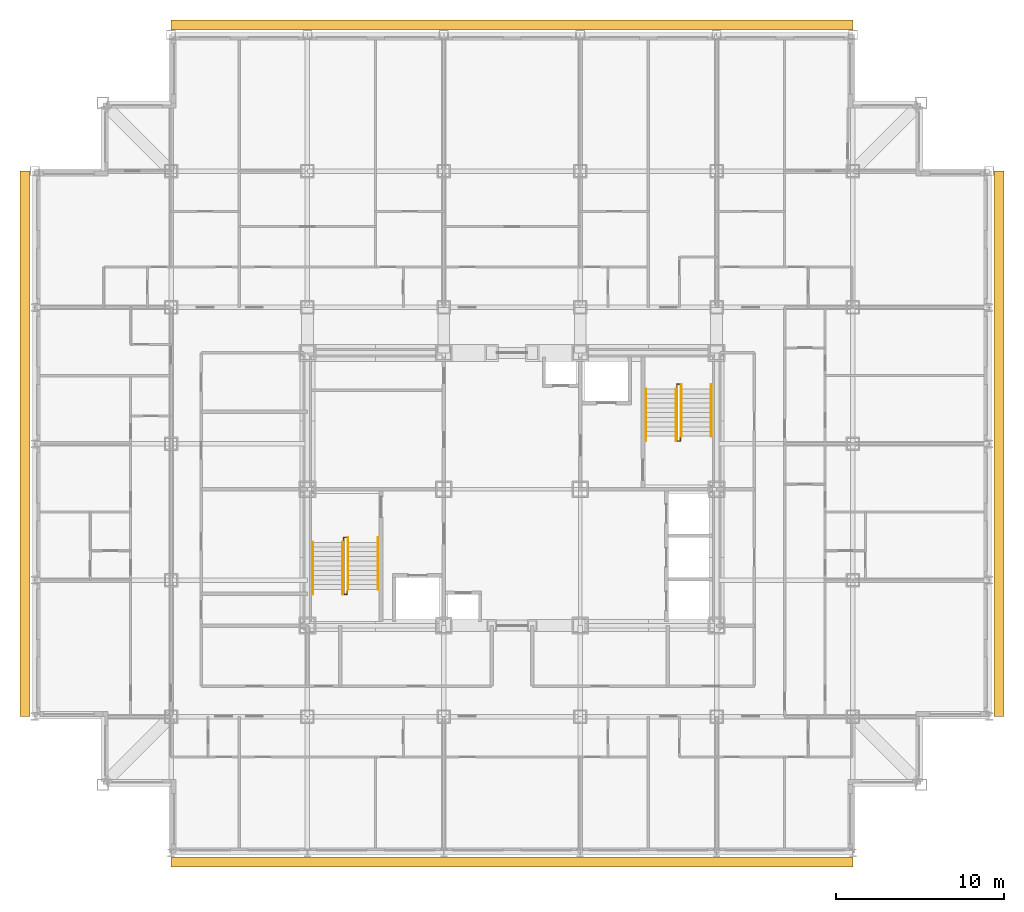
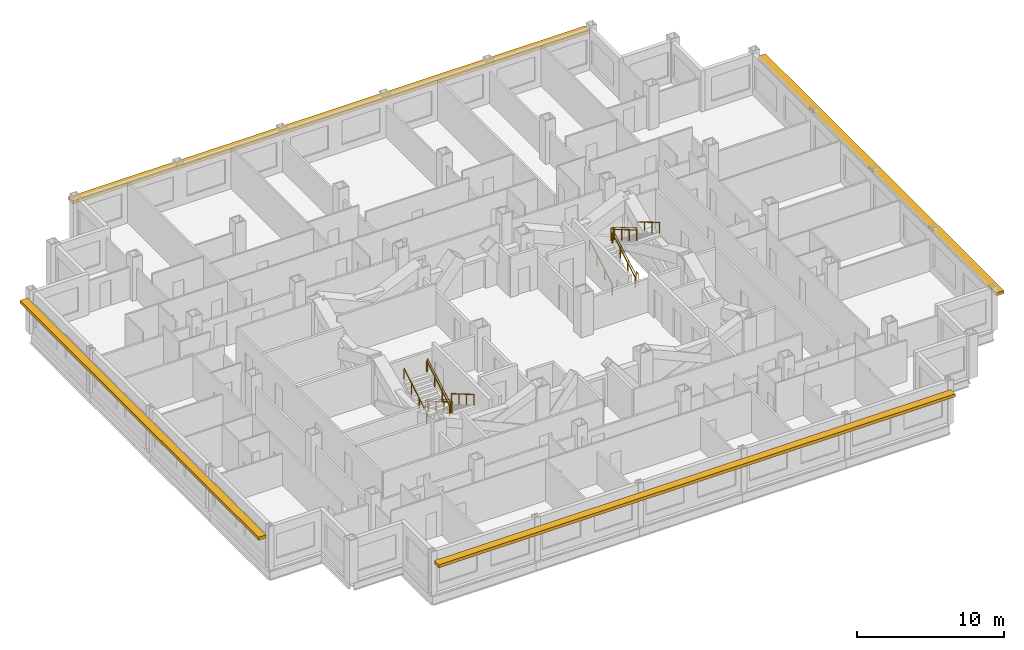
# One storey, part 12 of 12: 10 railings, 4 shading devices.
"""IFC4 building model written with IfcOpenShell, lengths in metres."""

import ifcopenshell
import ifcopenshell.guid

model = None  # the IFC model being written
_history = None  # IfcOwnerHistory: only IFC2X3 demands one
_inside = {}  # id of a spatial element -> (the spatial element, [elements in it])
_under = {}  # id of a project, library or spatial element -> (it, [spatial elements below it])
_declared = {}  # id of a project -> (the project, [libraries it declares])
_typed = {}  # id of a type object -> (the type object, [elements of that type])
_made_of = {}  # id of a material, layer set ... -> (it, [elements and type objects made of it])


def new_model(schema):
    """Start an empty IFC model of exactly this schema.

    Asked for "IFC4X3", IfcOpenShell would pick the latest addendum, in which some entities
    have other attributes; the version numbers below select the first issue.
    IFC2X3 requires an IfcOwnerHistory on every rooted entity: one is made here for all.
    """
    global model, _history
    if schema == "IFC4X3":
        model = ifcopenshell.file(schema_version=(4, 3, 0, 0))
    else:
        model = ifcopenshell.file(schema=schema)
    _inside.clear()
    _under.clear()
    _declared.clear()
    _typed.clear()
    _made_of.clear()
    _history = None
    if model.schema == "IFC2X3":
        org = make("IfcOrganization", Name="unknown")
        user = make(
            "IfcPersonAndOrganization",
            ThePerson=make("IfcPerson", FamilyName="unknown"),
            TheOrganization=org,
        )
        app = make(
            "IfcApplication",
            ApplicationDeveloper=org,
            Version="unknown",
            ApplicationFullName="unknown",
            ApplicationIdentifier="unknown",
        )
        _history = make(
            "IfcOwnerHistory",
            OwningUser=user,
            OwningApplication=app,
            ChangeAction="ADDED",
            CreationDate=0,
        )
    return model


def make(cls, **values):
    """One entity of the class cls with the attributes given. An attribute that is None is left unset."""
    return model.create_entity(
        cls, **{name: value for name, value in values.items() if value is not None}
    )


def rooted(cls, **values):
    """An entity with a GlobalId (a new one), such as an element, a storey or a relation."""
    return make(cls, GlobalId=ifcopenshell.guid.new(), OwnerHistory=_history, **values)


def si_unit(unit_type, name, prefix=None):
    """IfcSIUnit, for example si_unit("LENGTHUNIT", "METRE", prefix="MILLI")."""
    return make("IfcSIUnit", UnitType=unit_type, Prefix=prefix, Name=name)


def assignment(units):
    """IfcUnitAssignment: the units of a project."""
    return None if units is None else make("IfcUnitAssignment", Units=units)


def point(xyz):
    """IfcCartesianPoint."""
    return None if xyz is None else make("IfcCartesianPoint", Coordinates=xyz)


def direction(xyz):
    """IfcDirection."""
    return None if xyz is None else make("IfcDirection", DirectionRatios=xyz)


def frame(location, z_axis=None, x_axis=None):
    """IfcAxis2Placement3D, a coordinate frame: its origin and axes. An axis left out is left unset."""
    return make(
        "IfcAxis2Placement3D",
        Location=point(location),
        Axis=direction(z_axis),
        RefDirection=direction(x_axis),
    )


def frame_2d(location, x_axis=None):
    """IfcAxis2Placement2D, a coordinate frame in the plane: its origin and x axis."""
    return make(
        "IfcAxis2Placement2D", Location=point(location), RefDirection=direction(x_axis)
    )


def origin():
    """The frame at (0, 0, 0) with its axes left unset."""
    return frame((0.0, 0.0, 0.0))


def origin_2d():
    """The frame at (0, 0) in the plane with its x axis left unset."""
    return frame_2d((0.0, 0.0))


def place(relative_to, where):
    """IfcLocalPlacement: puts the frame where relative to a parent placement (None: the world)."""
    return make(
        "IfcLocalPlacement", PlacementRelTo=relative_to, RelativePlacement=where
    )


def context(
    kind, dimensions, precision=None, world=None, true_north=None, identifier=None
):
    """IfcGeometricRepresentationContext, for example the 3D "Model" context."""
    return make(
        "IfcGeometricRepresentationContext",
        ContextIdentifier=identifier,
        ContextType=kind,
        CoordinateSpaceDimension=dimensions,
        Precision=precision,
        WorldCoordinateSystem=world,
        TrueNorth=true_north,
    )


def subcontext(parent, identifier, kind, view, scale=None):
    """IfcGeometricRepresentationSubContext, for example "Body" below "Model"."""
    return make(
        "IfcGeometricRepresentationSubContext",
        ContextIdentifier=identifier,
        ContextType=kind,
        ParentContext=parent,
        TargetScale=scale,
        TargetView=view,
    )


def project(units=None, contexts=None):
    """IfcProject with its units and contexts."""
    return rooted(
        "IfcProject",
        Name="project",
        RepresentationContexts=contexts,
        UnitsInContext=assignment(units),
    )


def spatial(cls, under=None, at=None, **own):
    """A site, building, storey or space (cls), placed at a placement, below another one or the project."""
    s = rooted(cls, ObjectPlacement=at, **own)
    if under is not None:
        _under.setdefault(under.id(), (under, []))[1].append(s)
    return s


def profile(cls, at=None, kind="AREA", **sizes):
    """A parametric profile (cls). Its sizes go by their IFC names, for example OverallWidth=200.0."""
    return make(cls, ProfileType=kind, Position=at, **sizes)


def rectangle(**sizes):
    """IfcRectangleProfileDef."""
    return profile("IfcRectangleProfileDef", **sizes)


def circle(**sizes):
    """IfcCircleProfileDef."""
    return profile("IfcCircleProfileDef", **sizes)


def extrude(swept, where, along, depth):
    """IfcExtrudedAreaSolid: the profile swept, set in the frame where, extruded along a direction by depth."""
    return make(
        "IfcExtrudedAreaSolid",
        SweptArea=swept,
        Position=where,
        ExtrudedDirection=direction(along),
        Depth=depth,
    )


def shape(context_of_items, identifier, shape_type, items):
    """IfcShapeRepresentation: the items that make up one representation, for example the "Body"."""
    return make(
        "IfcShapeRepresentation",
        ContextOfItems=context_of_items,
        RepresentationIdentifier=identifier,
        RepresentationType=shape_type,
        Items=items,
    )


def material(Name=None, Category=None):
    """IfcMaterial."""
    return make("IfcMaterial", Name=Name, Category=Category)


def made_of(thing, what):
    """Note that an element or type object is made of a material, layer set ...; save() writes the relation."""
    if what is not None:
        _made_of.setdefault(what.id(), (what, []))[1].append(thing)
    return thing


def type_object(cls, material=None, **own):
    """A type object (cls), such as IfcWallType, which elements share."""
    return made_of(rooted(cls, **own), material)


def element(
    cls,
    number,
    at=None,
    inside=None,
    cuts=None,
    type_object=None,
    material=None,
    context=None,
    identifier="Body",
    shape_type=None,
    held_by="IfcProductDefinitionShape",
    body=None,
    shapes=None,
    **own,
):
    """One element of the class cls, such as IfcWall. Its Tag is "e" and its number.

    at: its placement. inside: the storey or other place that contains it. cuts: it is an
    opening in that element (IfcRelVoidsElement). A single representation is given by context,
    identifier, shape_type and body (its items); several are given by shapes. held_by: the class
    of the entity that holds the representations. save() writes the other relations.
    """
    e = rooted(cls, Tag="e%d" % number, ObjectPlacement=at, **own)
    if body is not None:
        shapes = [shape(context, identifier, shape_type, body)]
    if shapes is not None:
        e.Representation = make(held_by, Representations=shapes)
    if inside is not None:
        _inside.setdefault(inside.id(), (inside, []))[1].append(e)
    if cuts is not None:
        rooted(
            "IfcRelVoidsElement", RelatingBuildingElement=cuts, RelatedOpeningElement=e
        )
    if type_object is not None:
        _typed.setdefault(type_object.id(), (type_object, []))[1].append(e)
    return made_of(e, material)


def aggregate(whole, parts):
    """IfcRelAggregates: a whole, such as a stair, and the parts it consists of."""
    return rooted("IfcRelAggregates", RelatingObject=whole, RelatedObjects=parts)


def save(model, path):
    """Write the relations noted so far, then the file.

    IfcRelAggregates (storeys below a building ...), IfcRelContainedInSpatialStructure (elements
    in a storey), IfcRelDefinesByType, IfcRelAssociatesMaterial and IfcRelDeclares: one each for
    every whole, place, type object, material and project.
    """
    for whole, parts in _under.values():
        aggregate(whole, parts)
    for where, things in _inside.values():
        rooted(
            "IfcRelContainedInSpatialStructure",
            RelatedElements=things,
            RelatingStructure=where,
        )
    for kind, things in _typed.values():
        rooted("IfcRelDefinesByType", RelatedObjects=things, RelatingType=kind)
    for what, things in _made_of.values():
        rooted("IfcRelAssociatesMaterial", RelatedObjects=things, RelatingMaterial=what)
    for by, libraries in _declared.values():
        rooted("IfcRelDeclares", RelatingContext=by, RelatedDefinitions=libraries)
    model.write(path)


model = new_model("IFC4")

# Units and contexts
model_context = context("Model", 3, precision=1e-05, world=origin(), true_north=direction((0.0, 1.0)))
body_context = subcontext(model_context, "Body", "Model", "MODEL_VIEW")
ifc_project = project(units=[si_unit("LENGTHUNIT", "METRE"), si_unit("AREAUNIT", "SQUARE_METRE"), si_unit("VOLUMEUNIT", "CUBIC_METRE"), si_unit("PLANEANGLEUNIT", "RADIAN"), si_unit("MASSUNIT", "GRAM", prefix="KILO")], contexts=[model_context])

# Site, building, storey
site_placement = place(None, origin())
site = spatial("IfcSite", under=ifc_project, at=site_placement, CompositionType="ELEMENT")
building_placement = place(site_placement, origin())
building = spatial("IfcBuilding", under=site, at=building_placement, Name="Kopane Lantern Tower", CompositionType="ELEMENT")
storey_placement = place(building_placement, frame((0.0, 0.0, 224.39990234375)))
storey = spatial("IfcBuildingStorey", under=building, at=storey_placement, Name="L58", CompositionType="ELEMENT", Elevation=224.39990234375)

# Railings
ifc_material_1 = material(Name="Steel", Category="steel")
railing_type_1 = type_object("IfcRailingType", Name="STAIR GUARD 1100", PredefinedType="GUARDRAIL", material=ifc_material_1)
railing_1_placement = place(storey_placement, frame((18.35009765625, 29.25, 0.0)))
element("IfcRailing", 1, at=railing_1_placement, inside=storey, type_object=railing_type_1, Name="ST1 well guard L58", PredefinedType="GUARDRAIL", context=body_context, shape_type="SweptSolid", body=[
    extrude(circle(Radius=0.02392578125, at=origin_2d()), frame((0.0, 0.0, 1.076171875), z_axis=(0.0, 1.0, 0.0), x_axis=(-1.0, 0.0, 0.0)), (0.0, 0.0, 1.0), 0.280029296875),
    extrude(circle(Radius=0.02392578125, at=origin_2d()), frame((0.0, 0.280029296875, 1.076171875), z_axis=(1.0, 0.0, 0.0), x_axis=(0.0, 1.0, 0.0)), (0.0, 0.0, 1.0), 0.199951171875),
    extrude(circle(Radius=0.02392578125, at=origin_2d()), frame((0.199951171875, 0.280029296875, 1.076171875), z_axis=(0.0, -0.863371556955, 0.504568681787), x_axis=(1.0, 0.0, 0.0)), (0.0, 0.0, 1.0), 3.5673828125),
    extrude(circle(Radius=0.02392578125, at=origin_2d()), frame((0.199951171875, -2.800048828125, 2.8759765625), z_axis=(0.0, -1.0, 0.0), x_axis=(1.0, 0.0, 0.0)), (0.0, 0.0, 1.0), 0.280029296875),
    extrude(circle(Radius=0.02392578125, at=origin_2d()), frame((0.199951171875, -3.080078125, 2.8759765625), z_axis=(-1.0, 0.0, 0.0), x_axis=(0.0, -1.0, 0.0)), (0.0, 0.0, 1.0), 0.199951171875),
    extrude(circle(Radius=0.02392578125, at=origin_2d()), frame((0.0, -3.080078125, 2.8759765625), z_axis=(0.0, 0.863371556955, 0.504568681787), x_axis=(-1.0, 0.0, 0.0)), (0.0, 0.0, 1.0), 3.5673828125),
    extrude(circle(Radius=0.02099609375, at=origin_2d()), origin(), (0.0, 0.0, 1.0), 1.052001953125),
    extrude(circle(Radius=0.02099609375, at=origin_2d()), frame((0.0, 0.280029296875, 0.0)), (0.0, 0.0, 1.0), 1.052001953125),
    extrude(circle(Radius=0.02099609375, at=origin_2d()), frame((0.199951171875, 0.280029296875, 0.0)), (0.0, 0.0, 1.0), 1.052001953125),
    extrude(circle(Radius=0.02099609375, at=origin_2d()), frame((0.199951171875, -0.74658203125, 0.60009765625)), (0.0, 0.0, 1.0), 1.052001953125),
    extrude(circle(Radius=0.02099609375, at=origin_2d()), frame((0.199951171875, -1.7734375, 1.199951171875)), (0.0, 0.0, 1.0), 1.052001953125),
    extrude(circle(Radius=0.02099609375, at=origin_2d()), frame((0.199951171875, -2.800048828125, 1.800048828125)), (0.0, 0.0, 1.0), 1.052001953125),
    extrude(circle(Radius=0.02099609375, at=origin_2d()), frame((0.199951171875, -3.080078125, 1.800048828125)), (0.0, 0.0, 1.0), 1.052001953125),
    extrude(circle(Radius=0.02099609375, at=origin_2d()), frame((0.0, -3.080078125, 1.800048828125)), (0.0, 0.0, 1.0), 1.052001953125),
    extrude(circle(Radius=0.02099609375, at=origin_2d()), frame((0.0, -2.053466796875, 2.400146484375)), (0.0, 0.0, 1.0), 1.052001953125),
    extrude(circle(Radius=0.02099609375, at=origin_2d()), frame((0.0, -1.026611328125, 3.0)), (0.0, 0.0, 1.0), 1.052001953125),
    extrude(circle(Radius=0.02099609375, at=origin_2d()), frame((0.0, 0.0, 3.60009765625)), (0.0, 0.0, 1.0), 1.052001953125),
])
railing_2_placement = place(storey_placement, frame((38.35009765625, 35.550048828125, 0.0)))
element("IfcRailing", 2, at=railing_2_placement, inside=storey, type_object=railing_type_1, Name="ST2 well guard L58", PredefinedType="GUARDRAIL", context=body_context, shape_type="SweptSolid", body=[
    extrude(circle(Radius=0.02392578125, at=origin_2d()), frame((0.0, 0.0, 1.076171875), z_axis=(0.0, -1.0, 0.0), x_axis=(1.0, 0.0, 0.0)), (0.0, 0.0, 1.0), 0.280029296875),
    extrude(circle(Radius=0.02392578125, at=origin_2d()), frame((0.0, -0.280029296875, 1.076171875), z_axis=(-1.0, 0.0, 0.0), x_axis=(0.0, -1.0, 0.0)), (0.0, 0.0, 1.0), 0.2001953125),
    extrude(circle(Radius=0.02392578125, at=origin_2d()), frame((-0.2001953125, -0.280029296875, 1.076171875), z_axis=(0.0, 0.863371556955, 0.504568681787), x_axis=(-1.0, 0.0, 0.0)), (0.0, 0.0, 1.0), 3.5673828125),
    extrude(circle(Radius=0.02392578125, at=origin_2d()), frame((-0.2001953125, 2.800048828125, 2.8759765625), z_axis=(0.0, 1.0, 0.0), x_axis=(-1.0, 0.0, 0.0)), (0.0, 0.0, 1.0), 0.27978515625),
    extrude(circle(Radius=0.02392578125, at=origin_2d()), frame((-0.2001953125, 3.079833984375, 2.8759765625), z_axis=(1.0, 0.0, 0.0), x_axis=(0.0, 1.0, 0.0)), (0.0, 0.0, 1.0), 0.2001953125),
    extrude(circle(Radius=0.02392578125, at=origin_2d()), frame((0.0, 3.079833984375, 2.8759765625), z_axis=(0.0, -0.863354132664, 0.504598495452), x_axis=(1.0, 0.0, 0.0)), (0.0, 0.0, 1.0), 3.5673828125),
    extrude(circle(Radius=0.02099609375, at=origin_2d()), origin(), (0.0, 0.0, 1.0), 1.052001953125),
    extrude(circle(Radius=0.02099609375, at=origin_2d()), frame((0.0, -0.280029296875, 0.0)), (0.0, 0.0, 1.0), 1.052001953125),
    extrude(circle(Radius=0.02099609375, at=origin_2d()), frame((-0.2001953125, -0.280029296875, 0.0)), (0.0, 0.0, 1.0), 1.052001953125),
    extrude(circle(Radius=0.02099609375, at=origin_2d()), frame((-0.2001953125, 0.74658203125, 0.60009765625)), (0.0, 0.0, 1.0), 1.052001953125),
    extrude(circle(Radius=0.02099609375, at=origin_2d()), frame((-0.2001953125, 1.7734375, 1.199951171875)), (0.0, 0.0, 1.0), 1.052001953125),
    extrude(circle(Radius=0.02099609375, at=origin_2d()), frame((-0.2001953125, 2.800048828125, 1.800048828125)), (0.0, 0.0, 1.0), 1.052001953125),
    extrude(circle(Radius=0.02099609375, at=origin_2d()), frame((-0.2001953125, 3.079833984375, 1.800048828125)), (0.0, 0.0, 1.0), 1.052001953125),
    extrude(circle(Radius=0.02099609375, at=origin_2d()), frame((0.0, 3.079833984375, 1.800048828125)), (0.0, 0.0, 1.0), 1.052001953125),
    extrude(circle(Radius=0.02099609375, at=origin_2d()), frame((0.0, 2.05322265625, 2.400146484375)), (0.0, 0.0, 1.0), 1.052001953125),
    extrude(circle(Radius=0.02099609375, at=origin_2d()), frame((0.0, 1.026611328125, 3.0)), (0.0, 0.0, 1.0), 1.052001953125),
    extrude(circle(Radius=0.02099609375, at=origin_2d()), frame((0.0, 0.0, 3.60009765625)), (0.0, 0.0, 1.0), 1.052001953125),
])
ifc_material_2 = material(Name="Steel", Category="steel")
railing_type_2 = type_object("IfcRailingType", Name="STAIR HANDRAIL 900", PredefinedType="HANDRAIL", material=ifc_material_2)
for number, where, name in (
    (3, (20.389892578125, 29.530029296875, 0.0), "ST1 handrail L58 flight 1"),
    (4, (18.610107421875, 29.530029296875, 0.0), "ST1 handrail L58 flight 1"),
):
    element("IfcRailing", number, at=place(storey_placement, frame(where)), inside=storey, type_object=railing_type_2, Name=name, PredefinedType="HANDRAIL", context=body_context, shape_type="SweptSolid", body=[
        extrude(circle(Radius=0.02392578125, at=origin_2d()), frame((0.0, 0.0, 0.8759765625), z_axis=(0.0, -0.863371556955, 0.504568681787), x_axis=(1.0, 0.0, 0.0)), (0.0, 0.0, 1.0), 3.5673828125),
        extrude(circle(Radius=0.02099609375, at=origin_2d()), origin(), (0.0, 0.0, 1.0), 0.851806640625),
        extrude(circle(Radius=0.02099609375, at=origin_2d()), frame((0.0, -1.026611328125, 0.60009765625)), (0.0, 0.0, 1.0), 0.851806640625),
        extrude(circle(Radius=0.02099609375, at=origin_2d()), frame((0.0, -2.053466796875, 1.199951171875)), (0.0, 0.0, 1.0), 0.851806640625),
        extrude(circle(Radius=0.02099609375, at=origin_2d()), frame((0.0, -3.080078125, 1.800048828125)), (0.0, 0.0, 1.0), 0.851806640625),
    ])
for number, where, name in (
    (5, (16.510009765625, 26.169921875, 1.800048828125), "ST1 handrail L58 flight 2"),
    (6, (18.2900390625, 26.169921875, 1.800048828125), "ST1 handrail L58 flight 2"),
    (7, (36.31005859375, 35.27001953125, 0.0), "ST2 handrail L58 flight 1"),
    (8, (38.090087890625, 35.27001953125, 0.0), "ST2 handrail L58 flight 1"),
):
    element("IfcRailing", number, at=place(storey_placement, frame(where)), inside=storey, type_object=railing_type_2, Name=name, PredefinedType="HANDRAIL", context=body_context, shape_type="SweptSolid", body=[
        extrude(circle(Radius=0.02392578125, at=origin_2d()), frame((0.0, 0.0, 0.8759765625), z_axis=(0.0, 0.863371556955, 0.504568681787), x_axis=(-1.0, 0.0, 0.0)), (0.0, 0.0, 1.0), 3.5673828125),
        extrude(circle(Radius=0.02099609375, at=origin_2d()), origin(), (0.0, 0.0, 1.0), 0.851806640625),
        extrude(circle(Radius=0.02099609375, at=origin_2d()), frame((0.0, 1.026611328125, 0.60009765625)), (0.0, 0.0, 1.0), 0.851806640625),
        extrude(circle(Radius=0.02099609375, at=origin_2d()), frame((0.0, 2.053466796875, 1.199951171875)), (0.0, 0.0, 1.0), 0.851806640625),
        extrude(circle(Radius=0.02099609375, at=origin_2d()), frame((0.0, 3.080078125, 1.800048828125)), (0.0, 0.0, 1.0), 0.851806640625),
    ])
for number, where, name in (
    (9, (40.18994140625, 38.6298828125, 1.800048828125), "ST2 handrail L58 flight 2"),
    (10, (38.409912109375, 38.6298828125, 1.800048828125), "ST2 handrail L58 flight 2"),
):
    element("IfcRailing", number, at=place(storey_placement, frame(where)), inside=storey, type_object=railing_type_2, Name=name, PredefinedType="HANDRAIL", context=body_context, shape_type="SweptSolid", body=[
        extrude(circle(Radius=0.02392578125, at=origin_2d()), frame((0.0, 0.0, 0.8759765625), z_axis=(0.0, -0.863354132664, 0.504598495452), x_axis=(1.0, 0.0, 0.0)), (0.0, 0.0, 1.0), 3.5673828125),
        extrude(circle(Radius=0.02099609375, at=origin_2d()), origin(), (0.0, 0.0, 1.0), 0.851806640625),
        extrude(circle(Radius=0.02099609375, at=origin_2d()), frame((0.0, -1.026611328125, 0.60009765625)), (0.0, 0.0, 1.0), 0.851806640625),
        extrude(circle(Radius=0.02099609375, at=origin_2d()), frame((0.0, -2.05322265625, 1.199951171875)), (0.0, 0.0, 1.0), 0.851806640625),
        extrude(circle(Radius=0.02099609375, at=origin_2d()), frame((0.0, -3.079833984375, 1.800048828125)), (0.0, 0.0, 1.0), 0.851806640625),
    ])

# Shading devices
ifc_material_3 = material(Name="Terracotta rainscreen on light steel framing", Category="masonry")
shading_device_type = type_object("IfcShadingDeviceType", Name="SUNSHADE BAND SB1 600 TERRACOTTA", PredefinedType="USERDEFINED", material=ifc_material_3)
shading_device_1_placement = place(storey_placement, frame((28.35009765625, 10.2626953125, 2.60009765625), z_axis=(0.0, 0.0, 1.0), x_axis=(1.0, 0.0, 0.0)))
element("IfcShadingDevice", 11, at=shading_device_1_placement, inside=storey, type_object=shading_device_type, Name="Sunshade band S L58", ObjectType="SUNSHADE BAND", PredefinedType="USERDEFINED", context=body_context, shape_type="SweptSolid", body=[
    extrude(rectangle(XDim=40.5, YDim=0.60009765625, at=origin_2d()), origin(), (0.0, 0.0, 1.0), 0.25),
])
shading_device_2_placement = place(storey_placement, frame((57.27490234375, 35.10009765625, 2.60009765625), z_axis=(0.0, 0.0, 1.0), x_axis=(0.0, 1.0, 0.0)))
element("IfcShadingDevice", 12, at=shading_device_2_placement, inside=storey, type_object=shading_device_type, Name="Sunshade band E L58", ObjectType="SUNSHADE BAND", PredefinedType="USERDEFINED", context=body_context, shape_type="SweptSolid", body=[
    extrude(rectangle(XDim=32.39990234375, YDim=0.60009765625, at=origin_2d()), origin(), (0.0, 0.0, 1.0), 0.25),
])
shading_device_3_placement = place(storey_placement, frame((28.35009765625, 59.97509765625, 2.60009765625), z_axis=(0.0, 0.0, 1.0), x_axis=(-1.0, 0.0, 0.0)))
element("IfcShadingDevice", 13, at=shading_device_3_placement, inside=storey, type_object=shading_device_type, Name="Sunshade band N L58", ObjectType="SUNSHADE BAND", PredefinedType="USERDEFINED", context=body_context, shape_type="SweptSolid", body=[
    extrude(rectangle(XDim=40.5, YDim=0.60009765625, at=origin_2d()), origin(), (0.0, 0.0, 1.0), 0.25),
])
shading_device_4_placement = place(storey_placement, frame((-0.574951171875, 35.10009765625, 2.60009765625), z_axis=(0.0, 0.0, 1.0), x_axis=(0.0, -1.0, 0.0)))
element("IfcShadingDevice", 14, at=shading_device_4_placement, inside=storey, type_object=shading_device_type, Name="Sunshade band W L58", ObjectType="SUNSHADE BAND", PredefinedType="USERDEFINED", context=body_context, shape_type="SweptSolid", body=[
    extrude(rectangle(XDim=32.39990234375, YDim=0.60009765625, at=origin_2d()), origin(), (0.0, 0.0, 1.0), 0.25),
])

save(model, "model.ifc")
